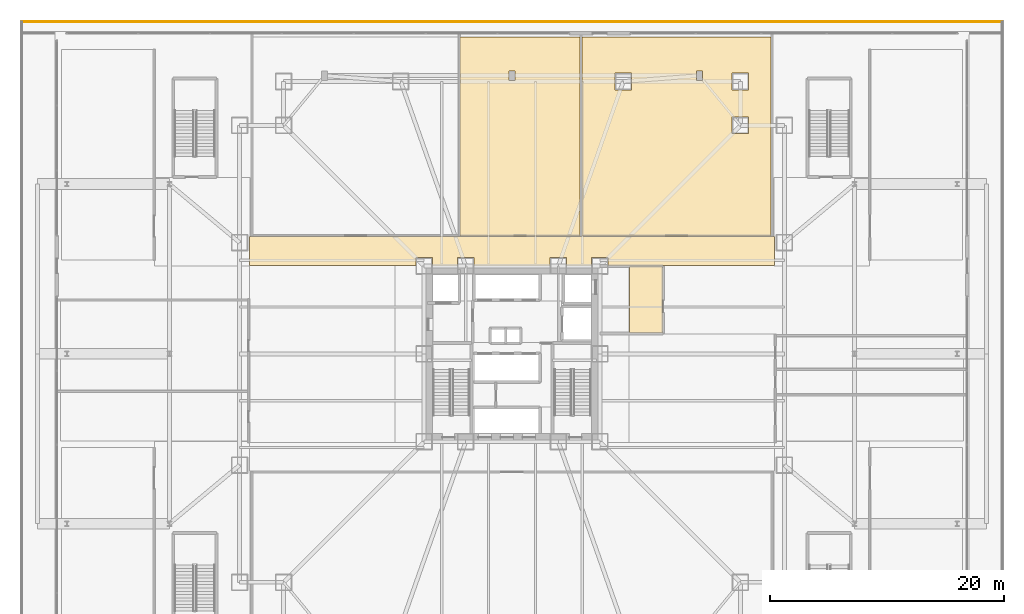
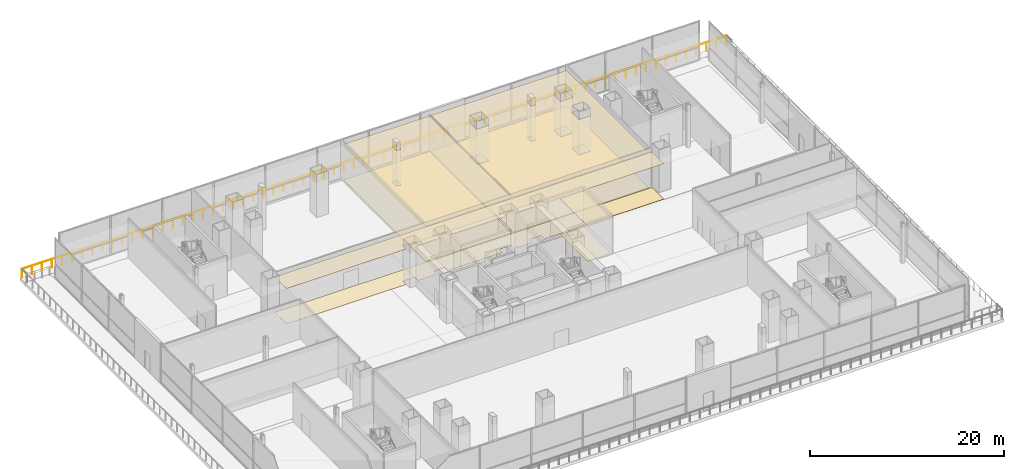
# One storey, part 33 of 36: 8 coverings, 1 railing.
"""IFC4 building model written with IfcOpenShell, lengths in metres."""

from ifc_helpers import new_model, si_unit, direction, frame, origin, origin_2d, place, context, subcontext, project, spatial, polyline, circle, outline, extrude, material, layer, layer_set, type_object, element, save


model = new_model("IFC4")

# Units and contexts
model_context = context("Model", 3, precision=1e-05, world=origin(), true_north=direction((0.0, 1.0)))
body_context = subcontext(model_context, "Body", "Model", "MODEL_VIEW")
ifc_project = project(units=[si_unit("LENGTHUNIT", "METRE"), si_unit("AREAUNIT", "SQUARE_METRE"), si_unit("VOLUMEUNIT", "CUBIC_METRE"), si_unit("PLANEANGLEUNIT", "RADIAN"), si_unit("MASSUNIT", "GRAM", prefix="KILO")], contexts=[model_context])

# Site, building, storey
site_placement = place(None, origin())
site = spatial("IfcSite", under=ifc_project, at=site_placement, CompositionType="ELEMENT")
building_placement = place(site_placement, origin())
building = spatial("IfcBuilding", under=site, at=building_placement, Name="Trevonay Congress Spire", CompositionType="ELEMENT")
storey_placement = place(building_placement, frame((0.0, 0.0, 5.39990234375)))
storey = spatial("IfcBuildingStorey", under=building, at=storey_placement, Name="L01", CompositionType="ELEMENT", Elevation=5.39990234375)

# Coverings
ifc_material_1 = material(Name="Acoustic Mineral Fibre Board", Category="gypsum")
ifc_layer_1 = layer(ifc_material_1, 0.02490234375, Name="Acoustic Mineral Fibre Board")
ifc_layer_set_1 = layer_set([ifc_layer_1], Name="Acoustic Mineral Fibre Board")
covering_type_1 = type_object("IfcCoveringType", Name="COV-CEIL-ACOUSTIC", PredefinedType="CEILING", material=ifc_layer_set_1)
covering_1_placement = place(storey_placement, frame((0.0, 0.0, 4.4501953125)))
element("IfcCovering", 1, at=covering_1_placement, inside=storey, type_object=covering_type_1, Name="L01 L01 Grand Concourse North acoustic suspended ceiling", PredefinedType="CEILING", context=body_context, shape_type="SweptSolid", body=[
    extrude(outline(polyline([(-22.419921875, 7.550048828125), (-22.419921875, 10.0), (22.419921875, 10.0), (22.419921875, 7.550048828125), (8.2099609375, 7.550048828125), (8.2099609375, 8.2099609375), (6.7900390625, 8.2099609375), (6.7900390625, 7.550048828125), (4.659912109375, 7.550048828125), (4.659912109375, 8.2099609375), (3.239990234375, 8.2099609375), (3.239990234375, 7.550048828125), (-3.239990234375, 7.550048828125), (-3.239990234375, 8.2099609375), (-4.659912109375, 8.2099609375), (-4.659912109375, 7.550048828125), (-6.7900390625, 7.550048828125), (-6.7900390625, 8.2099609375), (-8.2099609375, 8.2099609375), (-8.2099609375, 7.550048828125), (-22.419921875, 7.550048828125)])), origin(), (0.0, 0.0, 1.0), 0.02490234375),
])
covering_2_placement = place(storey_placement, frame((0.0, 0.0, 4.4501953125)))
element("IfcCovering", 2, at=covering_2_placement, inside=storey, type_object=covering_type_1, Name="L01 Firefighting Lift Lobby East acoustic suspended ceiling", PredefinedType="CEILING", context=body_context, shape_type="SweptSolid", body=[
    extrude(outline(polyline([(12.85009765625, 1.800048828125), (10.010009765625, 1.800048828125), (10.010009765625, 7.449951171875), (12.85009765625, 7.449951171875), (12.85009765625, 1.800048828125)])), origin(), (0.0, 0.0, 1.0), 0.02490234375),
])
covering_3_placement = place(storey_placement, frame((0.0, 0.0, 4.4501953125)))
element("IfcCovering", 3, at=covering_3_placement, inside=storey, type_object=covering_type_1, Name="L01 Simultaneous Interpretation Suite acoustic suspended ceiling", PredefinedType="CEILING", context=body_context, shape_type="SweptSolid", body=[
    extrude(outline(polyline([(-4.419921875, 27.050048828125), (5.820068359375, 27.050048828125), (5.820068359375, 10.080078125), (-4.419921875, 10.080078125), (-4.419921875, 27.050048828125)]), holes=[polyline([(0.260009765625, 23.340087890625), (0.260009765625, 24.159912109375), (-0.260009765625, 24.159912109375), (-0.260009765625, 23.340087890625), (0.260009765625, 23.340087890625)])]), origin(), (0.0, 0.0, 1.0), 0.02490234375),
])
covering_4_placement = place(storey_placement, frame((0.0, 0.0, 4.4501953125)))
element("IfcCovering", 4, at=covering_4_placement, inside=storey, type_object=covering_type_1, Name="L01 Delegate Espresso Lounge acoustic suspended ceiling", PredefinedType="CEILING", context=body_context, shape_type="SweptSolid", body=[
    extrude(outline(polyline([(5.97998046875, 27.050048828125), (22.1201171875, 27.050048828125), (22.1201171875, 10.080078125), (5.97998046875, 10.080078125), (5.97998046875, 27.050048828125)]), holes=[polyline([(18.7900390625, 20.2099609375), (18.7900390625, 18.7900390625), (20.2099609375, 18.7900390625), (20.2099609375, 20.2099609375), (18.7900390625, 20.2099609375)]), polyline([(8.7900390625, 23.9599609375), (8.7900390625, 22.5400390625), (10.2099609375, 22.5400390625), (10.2099609375, 23.9599609375), (8.7900390625, 23.9599609375)]), polyline([(18.7900390625, 23.9599609375), (18.7900390625, 22.5400390625), (20.2099609375, 22.5400390625), (20.2099609375, 23.9599609375), (18.7900390625, 23.9599609375)]), polyline([(15.739990234375, 24.159912109375), (15.739990234375, 23.340087890625), (16.260009765625, 23.340087890625), (16.260009765625, 24.159912109375), (15.739990234375, 24.159912109375)])]), origin(), (0.0, 0.0, 1.0), 0.02490234375),
])
ifc_material_2 = material(Name="Polished Granite Floor Tile", Category="masonry")
ifc_layer_2 = layer(ifc_material_2, 0.02001953125, Name="Polished Granite Floor Tile")
ifc_layer_set_2 = layer_set([ifc_layer_2], Name="Polished Granite Floor Tile")
covering_type_2 = type_object("IfcCoveringType", Name="COV-FLOOR-STONE", PredefinedType="FLOORING", material=ifc_layer_set_2)
covering_5_placement = place(storey_placement, origin())
element("IfcCovering", 5, at=covering_5_placement, inside=storey, type_object=covering_type_2, Name="L01 L01 Grand Concourse North floor finish", PredefinedType="FLOORING", context=body_context, shape_type="SweptSolid", body=[
    extrude(outline(polyline([(-22.419921875, 7.550048828125), (-22.419921875, 10.0), (22.419921875, 10.0), (22.419921875, 7.550048828125), (8.2099609375, 7.550048828125), (8.2099609375, 8.2099609375), (6.7900390625, 8.2099609375), (6.7900390625, 7.550048828125), (4.659912109375, 7.550048828125), (4.659912109375, 8.2099609375), (3.239990234375, 8.2099609375), (3.239990234375, 7.550048828125), (-3.239990234375, 7.550048828125), (-3.239990234375, 8.2099609375), (-4.659912109375, 8.2099609375), (-4.659912109375, 7.550048828125), (-6.7900390625, 7.550048828125), (-6.7900390625, 8.2099609375), (-8.2099609375, 8.2099609375), (-8.2099609375, 7.550048828125), (-22.419921875, 7.550048828125)])), origin(), (0.0, 0.0, 1.0), 0.02001953125),
])
covering_6_placement = place(storey_placement, origin())
element("IfcCovering", 6, at=covering_6_placement, inside=storey, type_object=covering_type_2, Name="L01 Firefighting Lift Lobby East floor finish", PredefinedType="FLOORING", context=body_context, shape_type="SweptSolid", body=[
    extrude(outline(polyline([(12.85009765625, 1.800048828125), (10.010009765625, 1.800048828125), (10.010009765625, 7.449951171875), (12.85009765625, 7.449951171875), (12.85009765625, 1.800048828125)])), origin(), (0.0, 0.0, 1.0), 0.02001953125),
])
covering_7_placement = place(storey_placement, origin())
element("IfcCovering", 7, at=covering_7_placement, inside=storey, type_object=covering_type_2, Name="L01 Delegate Espresso Lounge floor finish", PredefinedType="FLOORING", context=body_context, shape_type="SweptSolid", body=[
    extrude(outline(polyline([(5.97998046875, 27.050048828125), (22.1201171875, 27.050048828125), (22.1201171875, 10.080078125), (5.97998046875, 10.080078125), (5.97998046875, 27.050048828125)]), holes=[polyline([(18.7900390625, 20.2099609375), (18.7900390625, 18.7900390625), (20.2099609375, 18.7900390625), (20.2099609375, 20.2099609375), (18.7900390625, 20.2099609375)]), polyline([(8.7900390625, 23.9599609375), (8.7900390625, 22.5400390625), (10.2099609375, 22.5400390625), (10.2099609375, 23.9599609375), (8.7900390625, 23.9599609375)]), polyline([(18.7900390625, 23.9599609375), (18.7900390625, 22.5400390625), (20.2099609375, 22.5400390625), (20.2099609375, 23.9599609375), (18.7900390625, 23.9599609375)]), polyline([(15.739990234375, 24.159912109375), (15.739990234375, 23.340087890625), (16.260009765625, 23.340087890625), (16.260009765625, 24.159912109375), (15.739990234375, 24.159912109375)])]), origin(), (0.0, 0.0, 1.0), 0.02001953125),
])
ifc_material_3 = material(Name="Engineered Oak Flooring", Category="wood")
ifc_layer_3 = layer(ifc_material_3, 0.01806640625, Name="Engineered Oak Flooring")
ifc_layer_set_3 = layer_set([ifc_layer_3], Name="Engineered Oak Flooring")
covering_type_3 = type_object("IfcCoveringType", Name="COV-FLOOR-TIMBER", PredefinedType="FLOORING", material=ifc_layer_set_3)
covering_8_placement = place(storey_placement, origin())
element("IfcCovering", 8, at=covering_8_placement, inside=storey, type_object=covering_type_3, Name="L01 Simultaneous Interpretation Suite floor finish", PredefinedType="FLOORING", context=body_context, shape_type="SweptSolid", body=[
    extrude(outline(polyline([(-4.419921875, 27.050048828125), (5.820068359375, 27.050048828125), (5.820068359375, 10.080078125), (-4.419921875, 10.080078125), (-4.419921875, 27.050048828125)]), holes=[polyline([(0.260009765625, 23.340087890625), (0.260009765625, 24.159912109375), (-0.260009765625, 24.159912109375), (-0.260009765625, 23.340087890625), (0.260009765625, 23.340087890625)])]), origin(), (0.0, 0.0, 1.0), 0.01806640625),
])

# Railing
ifc_material_4 = material(Name="Pale Anodised Aluminium EN AW-6063-T6", Category="aluminium")
railing_type = type_object("IfcRailingType", Name="RAL-EXT-GUARD-115", PredefinedType="GUARDRAIL", material=ifc_material_4)
railing_placement = place(storey_placement, frame((-41.85009765625, 28.35009765625, 0.0)))
element("IfcRailing", 9, at=railing_placement, inside=storey, type_object=railing_type, Name="L01 perimeter safety guard GRD-L01-TER-N-2", PredefinedType="GUARDRAIL", context=body_context, shape_type="SweptSolid", body=[
    extrude(circle(Radius=0.02392578125, at=origin_2d()), frame((0.0, 0.0, 1.1259765625), z_axis=(1.0, 0.0, 0.0), x_axis=(0.0, 1.0, 0.0)), (0.0, 0.0, 1.0), 83.7001953125),
    extrude(circle(Radius=0.02099609375, at=origin_2d()), origin(), (0.0, 0.0, 1.0), 1.101806640625),
    extrude(circle(Radius=0.02099609375, at=origin_2d()), frame((1.19580078125, 0.0, 0.0)), (0.0, 0.0, 1.0), 1.101806640625),
    extrude(circle(Radius=0.02099609375, at=origin_2d()), frame((2.391357421875, 0.0, 0.0)), (0.0, 0.0, 1.0), 1.101806640625),
    extrude(circle(Radius=0.02099609375, at=origin_2d()), frame((3.587158203125, 0.0, 0.0)), (0.0, 0.0, 1.0), 1.101806640625),
    extrude(circle(Radius=0.02099609375, at=origin_2d()), frame((4.782958984375, 0.0, 0.0)), (0.0, 0.0, 1.0), 1.101806640625),
    extrude(circle(Radius=0.02099609375, at=origin_2d()), frame((5.978515625, 0.0, 0.0)), (0.0, 0.0, 1.0), 1.101806640625),
    extrude(circle(Radius=0.02099609375, at=origin_2d()), frame((7.17431640625, 0.0, 0.0)), (0.0, 0.0, 1.0), 1.101806640625),
    extrude(circle(Radius=0.02099609375, at=origin_2d()), frame((8.3701171875, 0.0, 0.0)), (0.0, 0.0, 1.0), 1.101806640625),
    extrude(circle(Radius=0.02099609375, at=origin_2d()), frame((9.565673828125, 0.0, 0.0)), (0.0, 0.0, 1.0), 1.101806640625),
    extrude(circle(Radius=0.02099609375, at=origin_2d()), frame((10.761474609375, 0.0, 0.0)), (0.0, 0.0, 1.0), 1.101806640625),
    extrude(circle(Radius=0.02099609375, at=origin_2d()), frame((11.957275390625, 0.0, 0.0)), (0.0, 0.0, 1.0), 1.101806640625),
    extrude(circle(Radius=0.02099609375, at=origin_2d()), frame((13.15283203125, 0.0, 0.0)), (0.0, 0.0, 1.0), 1.101806640625),
    extrude(circle(Radius=0.02099609375, at=origin_2d()), frame((14.3486328125, 0.0, 0.0)), (0.0, 0.0, 1.0), 1.101806640625),
    extrude(circle(Radius=0.02099609375, at=origin_2d()), frame((15.54443359375, 0.0, 0.0)), (0.0, 0.0, 1.0), 1.101806640625),
    extrude(circle(Radius=0.02099609375, at=origin_2d()), frame((16.739990234375, 0.0, 0.0)), (0.0, 0.0, 1.0), 1.101806640625),
    extrude(circle(Radius=0.02099609375, at=origin_2d()), frame((17.935791015625, 0.0, 0.0)), (0.0, 0.0, 1.0), 1.101806640625),
    extrude(circle(Radius=0.02099609375, at=origin_2d()), frame((19.131591796875, 0.0, 0.0)), (0.0, 0.0, 1.0), 1.101806640625),
    extrude(circle(Radius=0.02099609375, at=origin_2d()), frame((20.3271484375, 0.0, 0.0)), (0.0, 0.0, 1.0), 1.101806640625),
    extrude(circle(Radius=0.02099609375, at=origin_2d()), frame((21.52294921875, 0.0, 0.0)), (0.0, 0.0, 1.0), 1.101806640625),
    extrude(circle(Radius=0.02099609375, at=origin_2d()), frame((22.718505859375, 0.0, 0.0)), (0.0, 0.0, 1.0), 1.101806640625),
    extrude(circle(Radius=0.02099609375, at=origin_2d()), frame((23.914306640625, 0.0, 0.0)), (0.0, 0.0, 1.0), 1.101806640625),
    extrude(circle(Radius=0.02099609375, at=origin_2d()), frame((25.110107421875, 0.0, 0.0)), (0.0, 0.0, 1.0), 1.101806640625),
    extrude(circle(Radius=0.02099609375, at=origin_2d()), frame((26.3056640625, 0.0, 0.0)), (0.0, 0.0, 1.0), 1.101806640625),
    extrude(circle(Radius=0.02099609375, at=origin_2d()), frame((27.50146484375, 0.0, 0.0)), (0.0, 0.0, 1.0), 1.101806640625),
    extrude(circle(Radius=0.02099609375, at=origin_2d()), frame((28.697265625, 0.0, 0.0)), (0.0, 0.0, 1.0), 1.101806640625),
    extrude(circle(Radius=0.02099609375, at=origin_2d()), frame((29.892822265625, 0.0, 0.0)), (0.0, 0.0, 1.0), 1.101806640625),
    extrude(circle(Radius=0.02099609375, at=origin_2d()), frame((31.088623046875, 0.0, 0.0)), (0.0, 0.0, 1.0), 1.101806640625),
    extrude(circle(Radius=0.02099609375, at=origin_2d()), frame((32.284423828125, 0.0, 0.0)), (0.0, 0.0, 1.0), 1.101806640625),
    extrude(circle(Radius=0.02099609375, at=origin_2d()), frame((33.47998046875, 0.0, 0.0)), (0.0, 0.0, 1.0), 1.101806640625),
    extrude(circle(Radius=0.02099609375, at=origin_2d()), frame((34.67578125, 0.0, 0.0)), (0.0, 0.0, 1.0), 1.101806640625),
    extrude(circle(Radius=0.02099609375, at=origin_2d()), frame((35.87158203125, 0.0, 0.0)), (0.0, 0.0, 1.0), 1.101806640625),
    extrude(circle(Radius=0.02099609375, at=origin_2d()), frame((37.067138671875, 0.0, 0.0)), (0.0, 0.0, 1.0), 1.101806640625),
    extrude(circle(Radius=0.02099609375, at=origin_2d()), frame((38.262939453125, 0.0, 0.0)), (0.0, 0.0, 1.0), 1.101806640625),
    extrude(circle(Radius=0.02099609375, at=origin_2d()), frame((39.458740234375, 0.0, 0.0)), (0.0, 0.0, 1.0), 1.101806640625),
    extrude(circle(Radius=0.02099609375, at=origin_2d()), frame((40.654296875, 0.0, 0.0)), (0.0, 0.0, 1.0), 1.101806640625),
    extrude(circle(Radius=0.02099609375, at=origin_2d()), frame((41.85009765625, 0.0, 0.0)), (0.0, 0.0, 1.0), 1.101806640625),
    extrude(circle(Radius=0.02099609375, at=origin_2d()), frame((43.0458984375, 0.0, 0.0)), (0.0, 0.0, 1.0), 1.101806640625),
    extrude(circle(Radius=0.02099609375, at=origin_2d()), frame((44.241455078125, 0.0, 0.0)), (0.0, 0.0, 1.0), 1.101806640625),
    extrude(circle(Radius=0.02099609375, at=origin_2d()), frame((45.437255859375, 0.0, 0.0)), (0.0, 0.0, 1.0), 1.101806640625),
    extrude(circle(Radius=0.02099609375, at=origin_2d()), frame((46.633056640625, 0.0, 0.0)), (0.0, 0.0, 1.0), 1.101806640625),
    extrude(circle(Radius=0.02099609375, at=origin_2d()), frame((47.82861328125, 0.0, 0.0)), (0.0, 0.0, 1.0), 1.101806640625),
    extrude(circle(Radius=0.02099609375, at=origin_2d()), frame((49.0244140625, 0.0, 0.0)), (0.0, 0.0, 1.0), 1.101806640625),
    extrude(circle(Radius=0.02099609375, at=origin_2d()), frame((50.22021484375, 0.0, 0.0)), (0.0, 0.0, 1.0), 1.101806640625),
    extrude(circle(Radius=0.02099609375, at=origin_2d()), frame((51.415771484375, 0.0, 0.0)), (0.0, 0.0, 1.0), 1.101806640625),
    extrude(circle(Radius=0.02099609375, at=origin_2d()), frame((52.611572265625, 0.0, 0.0)), (0.0, 0.0, 1.0), 1.101806640625),
    extrude(circle(Radius=0.02099609375, at=origin_2d()), frame((53.807373046875, 0.0, 0.0)), (0.0, 0.0, 1.0), 1.101806640625),
    extrude(circle(Radius=0.02099609375, at=origin_2d()), frame((55.0029296875, 0.0, 0.0)), (0.0, 0.0, 1.0), 1.101806640625),
    extrude(circle(Radius=0.02099609375, at=origin_2d()), frame((56.19873046875, 0.0, 0.0)), (0.0, 0.0, 1.0), 1.101806640625),
    extrude(circle(Radius=0.02099609375, at=origin_2d()), frame((57.39453125, 0.0, 0.0)), (0.0, 0.0, 1.0), 1.101806640625),
    extrude(circle(Radius=0.02099609375, at=origin_2d()), frame((58.590087890625, 0.0, 0.0)), (0.0, 0.0, 1.0), 1.101806640625),
    extrude(circle(Radius=0.02099609375, at=origin_2d()), frame((59.785888671875, 0.0, 0.0)), (0.0, 0.0, 1.0), 1.101806640625),
    extrude(circle(Radius=0.02099609375, at=origin_2d()), frame((60.981689453125, 0.0, 0.0)), (0.0, 0.0, 1.0), 1.101806640625),
    extrude(circle(Radius=0.02099609375, at=origin_2d()), frame((62.17724609375, 0.0, 0.0)), (0.0, 0.0, 1.0), 1.101806640625),
    extrude(circle(Radius=0.02099609375, at=origin_2d()), frame((63.373046875, 0.0, 0.0)), (0.0, 0.0, 1.0), 1.101806640625),
    extrude(circle(Radius=0.02099609375, at=origin_2d()), frame((64.568603515625, 0.0, 0.0)), (0.0, 0.0, 1.0), 1.101806640625),
    extrude(circle(Radius=0.02099609375, at=origin_2d()), frame((65.764404296875, 0.0, 0.0)), (0.0, 0.0, 1.0), 1.101806640625),
    extrude(circle(Radius=0.02099609375, at=origin_2d()), frame((66.960205078125, 0.0, 0.0)), (0.0, 0.0, 1.0), 1.101806640625),
    extrude(circle(Radius=0.02099609375, at=origin_2d()), frame((68.15576171875, 0.0, 0.0)), (0.0, 0.0, 1.0), 1.101806640625),
    extrude(circle(Radius=0.02099609375, at=origin_2d()), frame((69.3515625, 0.0, 0.0)), (0.0, 0.0, 1.0), 1.101806640625),
    extrude(circle(Radius=0.02099609375, at=origin_2d()), frame((70.54736328125, 0.0, 0.0)), (0.0, 0.0, 1.0), 1.101806640625),
    extrude(circle(Radius=0.02099609375, at=origin_2d()), frame((71.742919921875, 0.0, 0.0)), (0.0, 0.0, 1.0), 1.101806640625),
    extrude(circle(Radius=0.02099609375, at=origin_2d()), frame((72.938720703125, 0.0, 0.0)), (0.0, 0.0, 1.0), 1.101806640625),
    extrude(circle(Radius=0.02099609375, at=origin_2d()), frame((74.134521484375, 0.0, 0.0)), (0.0, 0.0, 1.0), 1.101806640625),
    extrude(circle(Radius=0.02099609375, at=origin_2d()), frame((75.330078125, 0.0, 0.0)), (0.0, 0.0, 1.0), 1.101806640625),
    extrude(circle(Radius=0.02099609375, at=origin_2d()), frame((76.52587890625, 0.0, 0.0)), (0.0, 0.0, 1.0), 1.101806640625),
    extrude(circle(Radius=0.02099609375, at=origin_2d()), frame((77.7216796875, 0.0, 0.0)), (0.0, 0.0, 1.0), 1.101806640625),
    extrude(circle(Radius=0.02099609375, at=origin_2d()), frame((78.917236328125, 0.0, 0.0)), (0.0, 0.0, 1.0), 1.101806640625),
    extrude(circle(Radius=0.02099609375, at=origin_2d()), frame((80.113037109375, 0.0, 0.0)), (0.0, 0.0, 1.0), 1.101806640625),
    extrude(circle(Radius=0.02099609375, at=origin_2d()), frame((81.308837890625, 0.0, 0.0)), (0.0, 0.0, 1.0), 1.101806640625),
    extrude(circle(Radius=0.02099609375, at=origin_2d()), frame((82.50439453125, 0.0, 0.0)), (0.0, 0.0, 1.0), 1.101806640625),
    extrude(circle(Radius=0.02099609375, at=origin_2d()), frame((83.7001953125, 0.0, 0.0)), (0.0, 0.0, 1.0), 1.101806640625),
])

save(model, "model.ifc")
